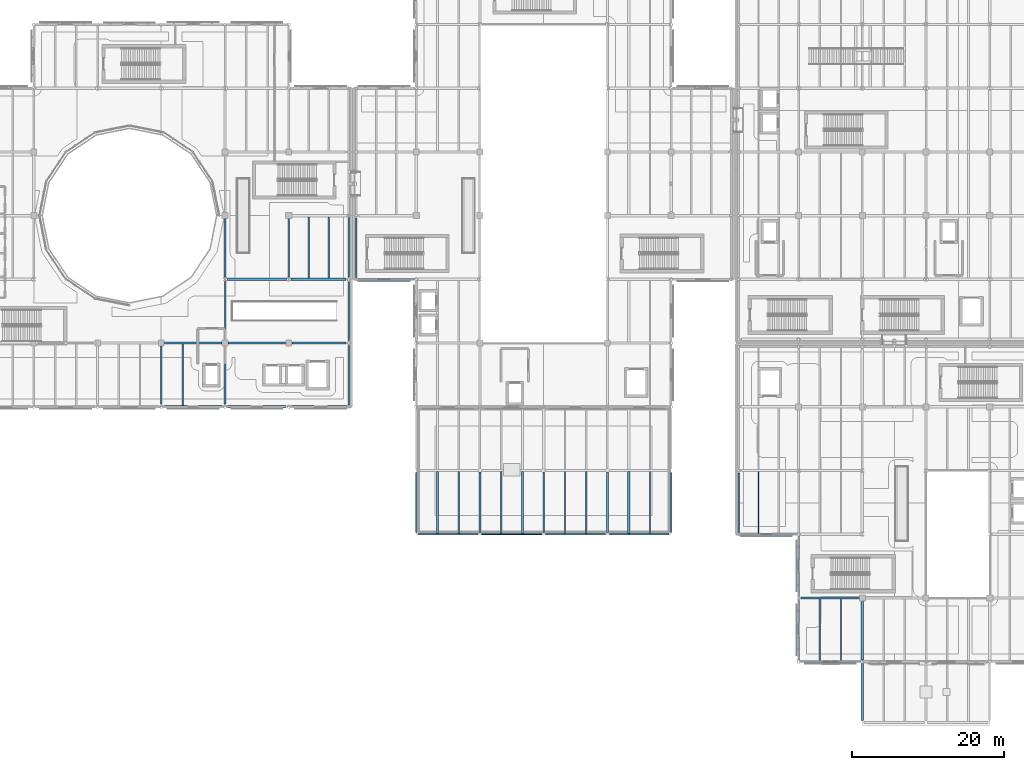
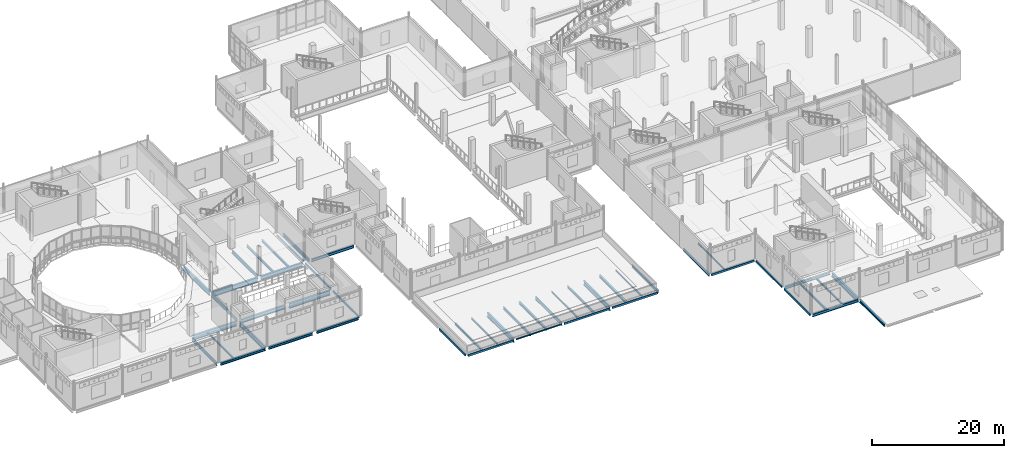
# One storey, part 18 of 110: 49 beams.
"""IFC4 building model written with IfcOpenShell, lengths in metres."""

from ifc_helpers import new_model, si_unit, direction, frame, origin, origin_2d, place, context, subcontext, project, spatial, hollow_rectangle, i_section, extrude, material, material_profile, profile_set, type_object, element, save


model = new_model("IFC4")

# Units and contexts
model_context = context("Model", 3, precision=1e-05, world=origin(), true_north=direction((0.0, 1.0)))
body_context = subcontext(model_context, "Body", "Model", "MODEL_VIEW")
ifc_project = project(units=[si_unit("LENGTHUNIT", "METRE"), si_unit("AREAUNIT", "SQUARE_METRE"), si_unit("VOLUMEUNIT", "CUBIC_METRE"), si_unit("PLANEANGLEUNIT", "RADIAN"), si_unit("MASSUNIT", "GRAM", prefix="KILO"), si_unit("THERMODYNAMICTEMPERATUREUNIT", "KELVIN")], contexts=[model_context])

# Site, building, storey
site_placement = place(None, origin())
site = spatial("IfcSite", under=ifc_project, at=site_placement, CompositionType="ELEMENT")
building_placement = place(site_placement, origin())
building = spatial("IfcBuilding", under=site, at=building_placement, Name="Lustrewick Department Store", CompositionType="ELEMENT")
storey_placement = place(building_placement, frame((0.0, 0.0, 6.0)))
storey = spatial("IfcBuildingStorey", under=building, at=storey_placement, Name="L02", CompositionType="ELEMENT", Elevation=6.0)

# Beams
ifc_material_1 = material(Name="Structural steel Q355B", Category="steel")
ifc_material_profile_1 = material_profile(ifc_material_1, i_section(OverallWidth=0.199951171875, OverallDepth=0.449951171875, WebThickness=0.009033203125, FlangeThickness=0.013916015625, FilletRadius=0.01611328125, at=origin_2d()), Name="HN 450x200x9x14")
ifc_profile_set_1 = profile_set([ifc_material_profile_1], Name="Structural steel Q355B")
beam_type_1 = type_object("IfcBeamType", Name="B03", PredefinedType="JOIST", material=ifc_profile_set_1)
beam_1_placement = place(storey_placement, frame((78.39990234375, 25.262451171875, -0.47998046875), z_axis=(0.0, 1.0, 0.0), x_axis=(-1.0, 0.0, 0.0)))
element("IfcBeam", 1, at=beam_1_placement, inside=storey, type_object=beam_type_1, Name="L02 V2 Secondary Joist B03", PredefinedType="JOIST", context=body_context, shape_type="SweptSolid", body=[
    extrude(i_section(OverallWidth=0.199951171875, OverallDepth=0.449951171875, WebThickness=0.009033203125, FlangeThickness=0.013916015625, FilletRadius=0.01611328125, at=origin_2d()), origin(), (0.0, 0.0, 1.0), 8.1875),
])
beam_2_placement = place(storey_placement, frame((89.60009765625, 25.300048828125, -0.47998046875), z_axis=(0.0, 1.0, 0.0), x_axis=(-1.0, 0.0, 0.0)))
element("IfcBeam", 2, at=beam_2_placement, inside=storey, type_object=beam_type_1, Name="L02 V2 Secondary Joist B03", PredefinedType="JOIST", context=body_context, shape_type="SweptSolid", body=[
    extrude(i_section(OverallWidth=0.199951171875, OverallDepth=0.449951171875, WebThickness=0.009033203125, FlangeThickness=0.013916015625, FilletRadius=0.01611328125, at=origin_2d()), origin(), (0.0, 0.0, 1.0), 8.14892578125),
])
ifc_material_profile_2 = material_profile(ifc_material_1, i_section(OverallWidth=0.198974609375, OverallDepth=0.446044921875, WebThickness=0.008056640625, FlangeThickness=0.011962890625, FilletRadius=0.01611328125, at=origin_2d()), Name="HN 446x199x8x12")
ifc_profile_set_2 = profile_set([ifc_material_profile_2], Name="Structural steel Q355B")
beam_type_2 = type_object("IfcBeamType", Name="B04", PredefinedType="JOIST", material=ifc_profile_set_2)
beam_3_placement = place(storey_placement, frame((53.033203125, 58.949951171875, -0.47802734375), z_axis=(0.0, 1.0, 0.0), x_axis=(-1.0, 0.0, 0.0)))
element("IfcBeam", 3, at=beam_3_placement, inside=storey, type_object=beam_type_2, Name="L02 V1 Secondary Joist B04", PredefinedType="JOIST", context=body_context, shape_type="SweptSolid", body=[
    extrude(i_section(OverallWidth=0.198974609375, OverallDepth=0.446044921875, WebThickness=0.008056640625, FlangeThickness=0.011962890625, FilletRadius=0.01611328125, at=origin_2d()), origin(), (0.0, 0.0, 1.0), 8.09912109375),
])
ifc_material_profile_3 = material_profile(ifc_material_1, i_section(OverallWidth=0.198974609375, OverallDepth=0.39599609375, WebThickness=0.007080078125, FlangeThickness=0.010986328125, FilletRadius=0.013916015625, at=origin_2d()), Name="HN 396x199x7x11")
ifc_profile_set_3 = profile_set([ifc_material_profile_3], Name="Structural steel Q355B")
beam_type_3 = type_object("IfcBeamType", Name="B06", PredefinedType="JOIST", material=ifc_profile_set_3)
beam_4_placement = place(storey_placement, frame((120.39990234375, 8.50048828125, -0.452880859375), z_axis=(0.0, 1.0, 0.0), x_axis=(-1.0, 0.0, 0.0)))
element("IfcBeam", 4, at=beam_4_placement, inside=storey, type_object=beam_type_3, Name="L02 V3 Secondary Joist B06", PredefinedType="JOIST", context=body_context, shape_type="SweptSolid", body=[
    extrude(i_section(OverallWidth=0.198974609375, OverallDepth=0.39599609375, WebThickness=0.007080078125, FlangeThickness=0.010986328125, FilletRadius=0.013916015625, at=origin_2d()), origin(), (0.0, 0.0, 1.0), 8.1494140625),
])
ifc_material_profile_4 = material_profile(ifc_material_1, i_section(OverallWidth=0.300048828125, OverallDepth=0.389892578125, WebThickness=0.010009765625, FlangeThickness=0.01611328125, FilletRadius=0.01806640625, at=origin_2d()), Name="HM 390x300x10x16")
ifc_profile_set_4 = profile_set([ifc_material_profile_4], Name="Structural steel Q355B")
beam_type_4 = type_object("IfcBeamType", Name="B07", PredefinedType="JOIST", material=ifc_profile_set_4)
beam_5_placement = place(storey_placement, frame((81.199951171875, 25.262451171875, -0.449951171875), z_axis=(0.0, 1.0, 0.0), x_axis=(-1.0, 0.0, 0.0)))
element("IfcBeam", 5, at=beam_5_placement, inside=storey, type_object=beam_type_4, Name="L02 V2 Secondary Joist B07", PredefinedType="JOIST", context=body_context, shape_type="SweptSolid", body=[
    extrude(i_section(OverallWidth=0.300048828125, OverallDepth=0.389892578125, WebThickness=0.010009765625, FlangeThickness=0.01611328125, FilletRadius=0.01806640625, at=origin_2d()), origin(), (0.0, 0.0, 1.0), 8.1875),
])
beam_6_placement = place(storey_placement, frame((95.199951171875, 25.300048828125, -0.449951171875), z_axis=(0.0, 1.0, 0.0), x_axis=(-1.0, 0.0, 0.0)))
element("IfcBeam", 6, at=beam_6_placement, inside=storey, type_object=beam_type_4, Name="L02 V2 Secondary Joist B07", PredefinedType="JOIST", context=body_context, shape_type="SweptSolid", body=[
    extrude(i_section(OverallWidth=0.300048828125, OverallDepth=0.389892578125, WebThickness=0.010009765625, FlangeThickness=0.01611328125, FilletRadius=0.01806640625, at=origin_2d()), origin(), (0.0, 0.0, 1.0), 8.14990234375),
])
ifc_material_profile_5 = material_profile(ifc_material_1, i_section(OverallWidth=0.25, OverallDepth=0.340087890625, WebThickness=0.009033203125, FlangeThickness=0.013916015625, FilletRadius=0.01611328125, at=origin_2d()), Name="HM 340x250x9x14")
ifc_profile_set_5 = profile_set([ifc_material_profile_5], Name="Structural steel Q355B")
beam_type_5 = type_object("IfcBeamType", Name="B08", PredefinedType="JOIST", material=ifc_profile_set_5)
beam_7_placement = place(storey_placement, frame((55.666748046875, 58.949951171875, -0.425048828125), z_axis=(0.0, 1.0, 0.0), x_axis=(-1.0, 0.0, 0.0)))
element("IfcBeam", 7, at=beam_7_placement, inside=storey, type_object=beam_type_5, Name="L02 V1 Secondary Joist B08", PredefinedType="JOIST", context=body_context, shape_type="SweptSolid", body=[
    extrude(i_section(OverallWidth=0.25, OverallDepth=0.340087890625, WebThickness=0.009033203125, FlangeThickness=0.013916015625, FilletRadius=0.01611328125, at=origin_2d()), origin(), (0.0, 0.0, 1.0), 8.09912109375),
])
beam_8_placement = place(storey_placement, frame((70.0, 25.300048828125, -0.425048828125), z_axis=(0.0, 1.0, 0.0), x_axis=(-1.0, 0.0, 0.0)))
element("IfcBeam", 8, at=beam_8_placement, inside=storey, type_object=beam_type_5, Name="L02 V2 Secondary Joist B08", PredefinedType="JOIST", context=body_context, shape_type="SweptSolid", body=[
    extrude(i_section(OverallWidth=0.25, OverallDepth=0.340087890625, WebThickness=0.009033203125, FlangeThickness=0.013916015625, FilletRadius=0.01611328125, at=origin_2d()), origin(), (0.0, 0.0, 1.0), 8.14892578125),
])
ifc_material_profile_6 = material_profile(ifc_material_1, i_section(OverallWidth=0.174072265625, OverallDepth=0.345947265625, WebThickness=0.006103515625, FlangeThickness=0.009033203125, FilletRadius=0.012939453125, at=origin_2d()), Name="HN 346x174x6x9")
ifc_profile_set_6 = profile_set([ifc_material_profile_6], Name="Structural steel Q355B")
beam_type_6 = type_object("IfcBeamType", Name="B10", PredefinedType="JOIST", material=ifc_profile_set_6)
beam_9_placement = place(storey_placement, frame((123.199951171875, 8.50048828125, -0.427978515625), z_axis=(0.0, 1.0, 0.0), x_axis=(-1.0, 0.0, 0.0)))
element("IfcBeam", 9, at=beam_9_placement, inside=storey, type_object=beam_type_6, Name="L02 V3 Secondary Joist B10", PredefinedType="JOIST", context=body_context, shape_type="SweptSolid", body=[
    extrude(i_section(OverallWidth=0.174072265625, OverallDepth=0.345947265625, WebThickness=0.006103515625, FlangeThickness=0.009033203125, FilletRadius=0.012939453125, at=origin_2d()), origin(), (0.0, 0.0, 1.0), 8.1494140625),
])
ifc_material_profile_7 = material_profile(ifc_material_1, i_section(OverallWidth=0.14990234375, OverallDepth=0.300048828125, WebThickness=0.006591796875, FlangeThickness=0.009033203125, FilletRadius=0.011962890625, at=origin_2d()), Name="HN 300x150x6.5x9")
ifc_profile_set_7 = profile_set([ifc_material_profile_7], Name="Structural steel Q355B")
beam_type_7 = type_object("IfcBeamType", Name="B11", PredefinedType="JOIST", material=ifc_profile_set_7)
for number, where, z_axis, x_axis, name in (
    (10, (98.0, 25.300048828125, -0.405029296875), (0.0, 1.0, 0.0), (-1.0, 0.0, 0.0), "L02 V2 Secondary Joist B11"),
    (11, (112.333251953125, 25.300048828125, -0.405029296875), (0.0, 1.0, 0.0), (-1.0, 0.0, 0.0), "L02 V3 Secondary Joist B11"),
):
    element("IfcBeam", number, at=place(storey_placement, frame(where, z_axis=z_axis, x_axis=x_axis)), inside=storey, type_object=beam_type_7, Name=name, PredefinedType="JOIST", context=body_context, shape_type="SweptSolid", body=[
        extrude(i_section(OverallWidth=0.14990234375, OverallDepth=0.300048828125, WebThickness=0.006591796875, FlangeThickness=0.009033203125, FilletRadius=0.011962890625, at=origin_2d()), origin(), (0.0, 0.0, 1.0), 8.14990234375),
    ])
ifc_material_profile_8 = material_profile(ifc_material_1, i_section(OverallWidth=0.14892578125, OverallDepth=0.298095703125, WebThickness=0.005615234375, FlangeThickness=0.008056640625, FilletRadius=0.011962890625, at=origin_2d()), Name="HN 298x149x5.5x8")
ifc_profile_set_8 = profile_set([ifc_material_profile_8], Name="Structural steel Q355B")
beam_type_8 = type_object("IfcBeamType", Name="B12", PredefinedType="JOIST", material=ifc_profile_set_8)
for number, where, z_axis, x_axis, name in (
    (12, (72.800048828125, 25.300048828125, -0.404052734375), (0.0, 1.0, 0.0), (-1.0, 0.0, 0.0), "L02 V2 Secondary Joist B12"),
    (13, (86.800048828125, 25.300048828125, -0.404052734375), (0.0, 1.0, 0.0), (-1.0, 0.0, 0.0), "L02 V2 Secondary Joist B12"),
):
    element("IfcBeam", number, at=place(storey_placement, frame(where, z_axis=z_axis, x_axis=x_axis)), inside=storey, type_object=beam_type_8, Name=name, PredefinedType="JOIST", context=body_context, shape_type="SweptSolid", body=[
        extrude(i_section(OverallWidth=0.14892578125, OverallDepth=0.298095703125, WebThickness=0.005615234375, FlangeThickness=0.008056640625, FilletRadius=0.011962890625, at=origin_2d()), origin(), (0.0, 0.0, 1.0), 8.14892578125),
    ])
ifc_material_profile_9 = material_profile(ifc_material_1, i_section(OverallWidth=0.199951171875, OverallDepth=0.2939453125, WebThickness=0.008056640625, FlangeThickness=0.011962890625, FilletRadius=0.013916015625, at=origin_2d()), Name="HM 294x200x8x12")
ifc_profile_set_9 = profile_set([ifc_material_profile_9], Name="Structural steel Q355B")
beam_type_9 = type_object("IfcBeamType", Name="B13", PredefinedType="JOIST", material=ifc_profile_set_9)
beam_10_placement = place(storey_placement, frame((36.39990234375, 42.14990234375, -0.402099609375), z_axis=(0.0, 1.0, 0.0), x_axis=(-1.0, 0.0, 0.0)))
element("IfcBeam", 14, at=beam_10_placement, inside=storey, type_object=beam_type_9, Name="L02 V1 Secondary Joist B13", PredefinedType="JOIST", context=body_context, shape_type="SweptSolid", body=[
    extrude(i_section(OverallWidth=0.199951171875, OverallDepth=0.2939453125, WebThickness=0.008056640625, FlangeThickness=0.011962890625, FilletRadius=0.013916015625, at=origin_2d()), origin(), (0.0, 0.0, 1.0), 8.09912109375),
])
ifc_material_2 = material(Name="Structural steel Q355C", Category="steel")
ifc_material_profile_10 = material_profile(ifc_material_2, i_section(OverallWidth=0.302001953125, OverallDepth=0.912109375, WebThickness=0.01806640625, FlangeThickness=0.033935546875, FilletRadius=0.02392578125, at=origin_2d()), Name="HN 912x302x18x34")
ifc_profile_set_10 = profile_set([ifc_material_profile_10], Name="Structural steel Q355C")
beam_type_10 = type_object("IfcBeamType", Name="G01", PredefinedType="BEAM", material=ifc_profile_set_10)
beam_11_placement = place(storey_placement, frame((34.0, 50.39990234375, -0.7109375), z_axis=(1.0, 0.0, 0.0), x_axis=(0.0, 1.0, 0.0)))
element("IfcBeam", 15, at=beam_11_placement, inside=storey, type_object=beam_type_10, Name="L02 V1 Girder G01", PredefinedType="BEAM", context=body_context, shape_type="SweptSolid", body=[
    extrude(i_section(OverallWidth=0.302001953125, OverallDepth=0.912109375, WebThickness=0.01806640625, FlangeThickness=0.033935546875, FilletRadius=0.02392578125, at=origin_2d()), origin(), (0.0, 0.0, 1.0), 7.60009765625),
])
beam_12_placement = place(storey_placement, frame((50.800048828125, 50.39990234375, -0.7109375), z_axis=(1.0, 0.0, 0.0), x_axis=(0.0, 1.0, 0.0)))
element("IfcBeam", 16, at=beam_12_placement, inside=storey, type_object=beam_type_10, Name="L02 V1 Girder G01", PredefinedType="BEAM", context=body_context, shape_type="SweptSolid", body=[
    extrude(i_section(OverallWidth=0.302001953125, OverallDepth=0.912109375, WebThickness=0.01806640625, FlangeThickness=0.033935546875, FilletRadius=0.02392578125, at=origin_2d()), origin(), (0.0, 0.0, 1.0), 7.14990234375),
])
beam_13_placement = place(storey_placement, frame((42.300048828125, 58.800048828125, -0.7109375), z_axis=(1.0, 0.0, 0.0), x_axis=(0.0, 1.0, 0.0)))
element("IfcBeam", 17, at=beam_13_placement, inside=storey, type_object=beam_type_10, Name="L02 V1 Girder G01", PredefinedType="BEAM", context=body_context, shape_type="SweptSolid", body=[
    extrude(i_section(OverallWidth=0.302001953125, OverallDepth=0.912109375, WebThickness=0.01806640625, FlangeThickness=0.033935546875, FilletRadius=0.02392578125, at=origin_2d()), origin(), (0.0, 0.0, 1.0), 7.800048828125),
])
ifc_material_profile_11 = material_profile(ifc_material_1, i_section(OverallWidth=0.300048828125, OverallDepth=0.800048828125, WebThickness=0.013916015625, FlangeThickness=0.02587890625, FilletRadius=0.02197265625, at=origin_2d()), Name="HN 800x300x14x26")
ifc_profile_set_11 = profile_set([ifc_material_profile_11], Name="Structural steel Q355B")
beam_type_11 = type_object("IfcBeamType", Name="G05", PredefinedType="BEAM", material=ifc_profile_set_11)
beam_14_placement = place(storey_placement, frame((126.0, 8.62841796875, -0.655029296875), z_axis=(0.0, 1.0, 0.0), x_axis=(-1.0, 0.0, 0.0)))
element("IfcBeam", 18, at=beam_14_placement, inside=storey, type_object=beam_type_11, Name="L02 V3 Girder G05", PredefinedType="BEAM", context=body_context, shape_type="SweptSolid", body=[
    extrude(i_section(OverallWidth=0.300048828125, OverallDepth=0.800048828125, WebThickness=0.013916015625, FlangeThickness=0.02587890625, FilletRadius=0.02197265625, at=origin_2d()), origin(), (0.0, 0.0, 1.0), 7.9716796875),
])
ifc_material_profile_12 = material_profile(ifc_material_1, i_section(OverallWidth=0.300048828125, OverallDepth=0.7919921875, WebThickness=0.013916015625, FlangeThickness=0.02197265625, FilletRadius=0.02197265625, at=origin_2d()), Name="HN 792x300x14x22")
ifc_profile_set_12 = profile_set([ifc_material_profile_12], Name="Structural steel Q355B")
beam_type_12 = type_object("IfcBeamType", Name="G06", PredefinedType="BEAM", material=ifc_profile_set_12)
beam_15_placement = place(storey_placement, frame((42.0, 42.35009765625, -0.65087890625), z_axis=(0.0, 1.0, 0.0), x_axis=(-1.0, 0.0, 0.0)))
element("IfcBeam", 19, at=beam_15_placement, inside=storey, type_object=beam_type_12, Name="L02 V1 Girder G06", PredefinedType="BEAM", context=body_context, shape_type="SweptSolid", body=[
    extrude(i_section(OverallWidth=0.300048828125, OverallDepth=0.7919921875, WebThickness=0.013916015625, FlangeThickness=0.02197265625, FilletRadius=0.02197265625, at=origin_2d()), origin(), (0.0, 0.0, 1.0), 7.64990234375),
])
beam_16_placement = place(storey_placement, frame((42.0, 59.10009765625, -0.65087890625), z_axis=(0.0, 1.0, 0.0), x_axis=(-1.0, 0.0, 0.0)))
element("IfcBeam", 20, at=beam_16_placement, inside=storey, type_object=beam_type_12, Name="L02 V1 Girder G06", PredefinedType="BEAM", context=body_context, shape_type="SweptSolid", body=[
    extrude(i_section(OverallWidth=0.300048828125, OverallDepth=0.7919921875, WebThickness=0.013916015625, FlangeThickness=0.02197265625, FilletRadius=0.02197265625, at=origin_2d()), origin(), (0.0, 0.0, 1.0), 7.89990234375),
])
for number, where, z_axis, x_axis, name in (
    (21, (75.60009765625, 25.4541015625, -0.65087890625), (0.0, 1.0, 0.0), (-1.0, 0.0, 0.0), "L02 V2 Girder G06"),
    (22, (92.39990234375, 25.4541015625, -0.65087890625), (0.0, 1.0, 0.0), (-1.0, 0.0, 0.0), "L02 V2 Girder G06"),
):
    element("IfcBeam", number, at=place(storey_placement, frame(where, z_axis=z_axis, x_axis=x_axis)), inside=storey, type_object=beam_type_12, Name=name, PredefinedType="BEAM", context=body_context, shape_type="SweptSolid", body=[
        extrude(i_section(OverallWidth=0.300048828125, OverallDepth=0.7919921875, WebThickness=0.013916015625, FlangeThickness=0.02197265625, FilletRadius=0.02197265625, at=origin_2d()), origin(), (0.0, 0.0, 1.0), 7.93896484375),
    ])
ifc_material_profile_13 = material_profile(ifc_material_1, i_section(OverallWidth=0.300048828125, OverallDepth=0.69189453125, WebThickness=0.012939453125, FlangeThickness=0.02001953125, FilletRadius=0.02001953125, at=origin_2d()), Name="HN 692x300x13x20")
ifc_profile_set_13 = profile_set([ifc_material_profile_13], Name="Structural steel Q355B")
beam_type_13 = type_object("IfcBeamType", Name="G09", PredefinedType="BEAM", material=ifc_profile_set_13)
beam_17_placement = place(storey_placement, frame((42.39990234375, 50.39990234375, -0.60107421875), z_axis=(1.0, 0.0, 0.0), x_axis=(0.0, 1.0, 0.0)))
element("IfcBeam", 23, at=beam_17_placement, inside=storey, type_object=beam_type_13, Name="L02 V1 Girder G09", PredefinedType="BEAM", context=body_context, shape_type="SweptSolid", body=[
    extrude(i_section(OverallWidth=0.300048828125, OverallDepth=0.69189453125, WebThickness=0.012939453125, FlangeThickness=0.02001953125, FilletRadius=0.02001953125, at=origin_2d()), origin(), (0.0, 0.0, 1.0), 7.60009765625),
])
beam_18_placement = place(storey_placement, frame((50.699951171875, 58.800048828125, -0.60107421875), z_axis=(1.0, 0.0, 0.0), x_axis=(0.0, 1.0, 0.0)))
element("IfcBeam", 24, at=beam_18_placement, inside=storey, type_object=beam_type_13, Name="L02 V1 Girder G09", PredefinedType="BEAM", context=body_context, shape_type="SweptSolid", body=[
    extrude(i_section(OverallWidth=0.300048828125, OverallDepth=0.69189453125, WebThickness=0.012939453125, FlangeThickness=0.02001953125, FilletRadius=0.02001953125, at=origin_2d()), origin(), (0.0, 0.0, 1.0), 7.275146484375),
])
ifc_material_profile_14 = material_profile(ifc_material_1, i_section(OverallWidth=0.199951171875, OverallDepth=0.60009765625, WebThickness=0.010986328125, FlangeThickness=0.01708984375, FilletRadius=0.01806640625, at=origin_2d()), Name="HN 600x200x11x17")
ifc_profile_set_14 = profile_set([ifc_material_profile_14], Name="Structural steel Q355B")
beam_type_14 = type_object("IfcBeamType", Name="G14", PredefinedType="BEAM", material=ifc_profile_set_14)
beam_19_placement = place(storey_placement, frame((42.0, 50.800048828125, -0.554931640625), z_axis=(0.0, 1.0, 0.0), x_axis=(-1.0, 0.0, 0.0)))
element("IfcBeam", 25, at=beam_19_placement, inside=storey, type_object=beam_type_14, Name="L02 V1 Girder G14", PredefinedType="BEAM", context=body_context, shape_type="SweptSolid", body=[
    extrude(i_section(OverallWidth=0.199951171875, OverallDepth=0.60009765625, WebThickness=0.010986328125, FlangeThickness=0.01708984375, FilletRadius=0.01806640625, at=origin_2d()), origin(), (0.0, 0.0, 1.0), 7.699951171875),
])
beam_20_placement = place(storey_placement, frame((50.39990234375, 59.10009765625, -0.554931640625), z_axis=(0.0, 1.0, 0.0), x_axis=(-1.0, 0.0, 0.0)))
element("IfcBeam", 26, at=beam_20_placement, inside=storey, type_object=beam_type_14, Name="L02 V1 Girder G14", PredefinedType="BEAM", context=body_context, shape_type="SweptSolid", body=[
    extrude(i_section(OverallWidth=0.199951171875, OverallDepth=0.60009765625, WebThickness=0.010986328125, FlangeThickness=0.01708984375, FilletRadius=0.01806640625, at=origin_2d()), origin(), (0.0, 0.0, 1.0), 7.89990234375),
])
beam_21_placement = place(storey_placement, frame((84.0, 25.4541015625, -0.554931640625), z_axis=(0.0, 1.0, 0.0), x_axis=(-1.0, 0.0, 0.0)))
element("IfcBeam", 27, at=beam_21_placement, inside=storey, type_object=beam_type_14, Name="L02 V2 Girder G14", PredefinedType="BEAM", context=body_context, shape_type="SweptSolid", body=[
    extrude(i_section(OverallWidth=0.199951171875, OverallDepth=0.60009765625, WebThickness=0.010986328125, FlangeThickness=0.01708984375, FilletRadius=0.01806640625, at=origin_2d()), origin(), (0.0, 0.0, 1.0), 7.93896484375),
])
ifc_material_profile_15 = material_profile(ifc_material_1, i_section(OverallWidth=0.198974609375, OverallDepth=0.595947265625, WebThickness=0.010009765625, FlangeThickness=0.014892578125, FilletRadius=0.01806640625, at=origin_2d()), Name="HN 596x199x10x15")
ifc_profile_set_15 = profile_set([ifc_material_profile_15], Name="Structural steel Q355B")
beam_type_15 = type_object("IfcBeamType", Name="G15", PredefinedType="BEAM", material=ifc_profile_set_15)
beam_22_placement = place(storey_placement, frame((33.60009765625, 42.35009765625, -0.552978515625), z_axis=(0.0, 1.0, 0.0), x_axis=(-1.0, 0.0, 0.0)))
element("IfcBeam", 28, at=beam_22_placement, inside=storey, type_object=beam_type_15, Name="L02 V1 Girder G15", PredefinedType="BEAM", context=body_context, shape_type="SweptSolid", body=[
    extrude(i_section(OverallWidth=0.198974609375, OverallDepth=0.595947265625, WebThickness=0.010009765625, FlangeThickness=0.014892578125, FilletRadius=0.01806640625, at=origin_2d()), origin(), (0.0, 0.0, 1.0), 7.64990234375),
])
ifc_material_profile_16 = material_profile(ifc_material_1, i_section(OverallWidth=0.300048828125, OverallDepth=0.48193359375, WebThickness=0.010986328125, FlangeThickness=0.014892578125, FilletRadius=0.02197265625, at=origin_2d()), Name="HM 482x300x11x15")
ifc_profile_set_16 = profile_set([ifc_material_profile_16], Name="Structural steel Q355B")
beam_type_16 = type_object("IfcBeamType", Name="G20", PredefinedType="BEAM", material=ifc_profile_set_16)
beam_23_placement = place(storey_placement, frame((117.949951171875, 16.800048828125, -0.49609375), z_axis=(1.0, 0.0, 0.0), x_axis=(0.0, 1.0, 0.0)))
element("IfcBeam", 29, at=beam_23_placement, inside=storey, type_object=beam_type_16, Name="L02 V3 Girder G20", PredefinedType="BEAM", context=body_context, shape_type="SweptSolid", body=[
    extrude(i_section(OverallWidth=0.300048828125, OverallDepth=0.48193359375, WebThickness=0.010986328125, FlangeThickness=0.014892578125, FilletRadius=0.02197265625, at=origin_2d()), origin(), (0.0, 0.0, 1.0), 7.85009765625),
])
ifc_material_profile_17 = material_profile(ifc_material_1, i_section(OverallWidth=0.125, OverallDepth=0.25, WebThickness=0.006103515625, FlangeThickness=0.009033203125, FilletRadius=0.010009765625, at=origin_2d()), Name="HN 250x125x6x9")
ifc_profile_set_17 = profile_set([ifc_material_profile_17], Name="Structural steel Q355B")
beam_type_17 = type_object("IfcBeamType", Name="LN02", PredefinedType="LINTEL", material=ifc_profile_set_17)
beam_24_placement = place(storey_placement, frame((75.85400390625, 25.199951171875, -0.3798828125), z_axis=(1.0, 0.0, 0.0), x_axis=(0.0, 1.0, 0.0)))
element("IfcBeam", 30, at=beam_24_placement, inside=storey, type_object=beam_type_17, Name="L02 V2 Girder LN02", PredefinedType="LINTEL", context=body_context, shape_type="SweptSolid", body=[
    extrude(i_section(OverallWidth=0.125, OverallDepth=0.25, WebThickness=0.006103515625, FlangeThickness=0.009033203125, FilletRadius=0.010009765625, at=origin_2d()), origin(), (0.0, 0.0, 1.0), 7.89208984375),
])
ifc_material_profile_18 = material_profile(ifc_material_1, i_section(OverallWidth=0.200927734375, OverallDepth=0.506103515625, WebThickness=0.010986328125, FlangeThickness=0.01904296875, FilletRadius=0.01611328125, at=origin_2d()), Name="HN 506x201x11x19")
ifc_profile_set_18 = profile_set([ifc_material_profile_18], Name="Structural steel Q355B")
beam_type_18 = type_object("IfcBeamType", Name="SP01", PredefinedType="SPANDREL", material=ifc_profile_set_18)
beam_25_placement = place(storey_placement, frame((59.528564453125, 58.800048828125, -0.508056640625), z_axis=(1.0, 0.0, 0.0), x_axis=(0.0, 1.0, 0.0)))
element("IfcBeam", 31, at=beam_25_placement, inside=storey, type_object=beam_type_18, Name="L02 V2 Girder SP01", PredefinedType="SPANDREL", context=body_context, shape_type="SweptSolid", body=[
    extrude(i_section(OverallWidth=0.200927734375, OverallDepth=0.506103515625, WebThickness=0.010986328125, FlangeThickness=0.01904296875, FilletRadius=0.01611328125, at=origin_2d()), origin(), (0.0, 0.0, 1.0), 7.41748046875),
])
beam_26_placement = place(storey_placement, frame((59.300048828125, 59.028564453125, -0.508056640625), z_axis=(0.0, 1.0, 0.0), x_axis=(-1.0, 0.0, 0.0)))
element("IfcBeam", 32, at=beam_26_placement, inside=storey, type_object=beam_type_18, Name="L02 V2 Girder SP01", PredefinedType="SPANDREL", context=body_context, shape_type="SweptSolid", body=[
    extrude(i_section(OverallWidth=0.200927734375, OverallDepth=0.506103515625, WebThickness=0.010986328125, FlangeThickness=0.01904296875, FilletRadius=0.01611328125, at=origin_2d()), origin(), (0.0, 0.0, 1.0), 7.846435546875),
])
beam_27_placement = place(storey_placement, frame((100.800048828125, 25.4541015625, -0.508056640625), z_axis=(0.0, 1.0, 0.0), x_axis=(-1.0, 0.0, 0.0)))
element("IfcBeam", 33, at=beam_27_placement, inside=storey, type_object=beam_type_18, Name="L02 V2 Girder SP01", PredefinedType="SPANDREL", context=body_context, shape_type="SweptSolid", body=[
    extrude(i_section(OverallWidth=0.200927734375, OverallDepth=0.506103515625, WebThickness=0.010986328125, FlangeThickness=0.01904296875, FilletRadius=0.01611328125, at=origin_2d()), origin(), (0.0, 0.0, 1.0), 7.91748046875),
])
beam_28_placement = place(storey_placement, frame((117.82861328125, 8.39990234375, -0.508056640625), z_axis=(1.0, 0.0, 0.0), x_axis=(0.0, 1.0, 0.0)))
element("IfcBeam", 34, at=beam_28_placement, inside=storey, type_object=beam_type_18, Name="L02 V3 Girder SP01", PredefinedType="SPANDREL", context=body_context, shape_type="SweptSolid", body=[
    extrude(i_section(OverallWidth=0.200927734375, OverallDepth=0.506103515625, WebThickness=0.010986328125, FlangeThickness=0.01904296875, FilletRadius=0.01611328125, at=origin_2d()), origin(), (0.0, 0.0, 1.0), 7.94287109375),
])
beam_29_placement = place(storey_placement, frame((109.699951171875, 25.428466796875, -0.508056640625), z_axis=(0.0, 1.0, 0.0), x_axis=(-1.0, 0.0, 0.0)))
element("IfcBeam", 35, at=beam_29_placement, inside=storey, type_object=beam_type_18, Name="L02 V3 Girder SP01", PredefinedType="SPANDREL", context=body_context, shape_type="SweptSolid", body=[
    extrude(i_section(OverallWidth=0.200927734375, OverallDepth=0.506103515625, WebThickness=0.010986328125, FlangeThickness=0.01904296875, FilletRadius=0.01611328125, at=origin_2d()), origin(), (0.0, 0.0, 1.0), 7.821533203125),
])
ifc_material_profile_19 = material_profile(ifc_material_1, i_section(OverallWidth=0.300048828125, OverallDepth=0.43994140625, WebThickness=0.010986328125, FlangeThickness=0.01806640625, FilletRadius=0.02001953125, at=origin_2d()), Name="HM 440x300x11x18")
ifc_profile_set_19 = profile_set([ifc_material_profile_19], Name="Structural steel Q355B")
beam_type_19 = type_object("IfcBeamType", Name="SP02", PredefinedType="SPANDREL", material=ifc_profile_set_19)
for number, where, z_axis, x_axis, name in (
    (36, (33.949951171875, 42.0, -0.47509765625), (1.0, 0.0, 0.0), (0.0, 1.0, 0.0), "L02 V1 Girder SP02"),
    (37, (42.35009765625, 42.0, -0.47509765625), (1.0, 0.0, 0.0), (0.0, 1.0, 0.0), "L02 V1 Girder SP02"),
):
    element("IfcBeam", number, at=place(storey_placement, frame(where, z_axis=z_axis, x_axis=x_axis)), inside=storey, type_object=beam_type_19, Name=name, PredefinedType="SPANDREL", context=body_context, shape_type="SweptSolid", body=[
        extrude(i_section(OverallWidth=0.300048828125, OverallDepth=0.43994140625, WebThickness=0.010986328125, FlangeThickness=0.01806640625, FilletRadius=0.02001953125, at=origin_2d()), origin(), (0.0, 0.0, 1.0), 7.699951171875),
    ])
beam_30_placement = place(storey_placement, frame((50.75, 42.0, -0.47509765625), z_axis=(1.0, 0.0, 0.0), x_axis=(0.0, 1.0, 0.0)))
element("IfcBeam", 38, at=beam_30_placement, inside=storey, type_object=beam_type_19, Name="L02 V1 Girder SP02", PredefinedType="SPANDREL", context=body_context, shape_type="SweptSolid", body=[
    extrude(i_section(OverallWidth=0.300048828125, OverallDepth=0.43994140625, WebThickness=0.010986328125, FlangeThickness=0.01806640625, FilletRadius=0.02001953125, at=origin_2d()), origin(), (0.0, 0.0, 1.0), 7.321533203125),
])
beam_31_placement = place(storey_placement, frame((126.0, 0.62841796875, -0.47509765625), z_axis=(0.0, 1.0, 0.0), x_axis=(-1.0, 0.0, 0.0)))
element("IfcBeam", 39, at=beam_31_placement, inside=storey, type_object=beam_type_19, Name="L02 V3 Girder SP02", PredefinedType="SPANDREL", context=body_context, shape_type="SweptSolid", body=[
    extrude(i_section(OverallWidth=0.300048828125, OverallDepth=0.43994140625, WebThickness=0.010986328125, FlangeThickness=0.01806640625, FilletRadius=0.02001953125, at=origin_2d()), origin(), (0.0, 0.0, 1.0), 7.54296875),
])
ifc_material_profile_20 = material_profile(ifc_material_2, hollow_rectangle(XDim=0.199951171875, YDim=0.35009765625, WallThickness=0.011962890625, at=origin_2d()), Name="RHS 350x200x12")
ifc_profile_set_20 = profile_set([ifc_material_profile_20], Name="Structural steel Q355C")
beam_type_20 = type_object("IfcBeamType", Name="SP03", PredefinedType="SPANDREL", material=ifc_profile_set_20)
beam_32_placement = place(storey_placement, frame((58.300048828125, 42.228515625, -0.429931640625), z_axis=(0.0, 1.0, 0.0), x_axis=(-1.0, 0.0, 0.0)))
element("IfcBeam", 40, at=beam_32_placement, inside=storey, type_object=beam_type_20, Name="L02 V1 Girder SP03", PredefinedType="SPANDREL", context=body_context, shape_type="SweptSolid", body=[
    extrude(hollow_rectangle(XDim=0.199951171875, YDim=0.35009765625, WallThickness=0.011962890625, at=origin_2d()), origin(), (0.0, 0.0, 1.0), 7.821533203125),
])
beam_33_placement = place(storey_placement, frame((58.300048828125, 50.75, -0.429931640625), z_axis=(0.0, 1.0, 0.0), x_axis=(-1.0, 0.0, 0.0)))
element("IfcBeam", 41, at=beam_33_placement, inside=storey, type_object=beam_type_20, Name="L02 V1 Girder SP03", PredefinedType="SPANDREL", context=body_context, shape_type="SweptSolid", body=[
    extrude(hollow_rectangle(XDim=0.199951171875, YDim=0.35009765625, WallThickness=0.011962890625, at=origin_2d()), origin(), (0.0, 0.0, 1.0), 7.72509765625),
])
beam_34_placement = place(storey_placement, frame((58.300048828125, 59.125, -0.429931640625), z_axis=(0.0, 1.0, 0.0), x_axis=(-1.0, 0.0, 0.0)))
element("IfcBeam", 42, at=beam_34_placement, inside=storey, type_object=beam_type_20, Name="L02 V1 Girder SP03", PredefinedType="SPANDREL", context=body_context, shape_type="SweptSolid", body=[
    extrude(hollow_rectangle(XDim=0.199951171875, YDim=0.35009765625, WallThickness=0.011962890625, at=origin_2d()), origin(), (0.0, 0.0, 1.0), 7.846435546875),
])
beam_35_placement = place(storey_placement, frame((67.4541015625, 25.199951171875, -0.429931640625), z_axis=(1.0, 0.0, 0.0), x_axis=(0.0, 1.0, 0.0)))
element("IfcBeam", 43, at=beam_35_placement, inside=storey, type_object=beam_type_20, Name="L02 V2 Girder SP03", PredefinedType="SPANDREL", context=body_context, shape_type="SweptSolid", body=[
    extrude(hollow_rectangle(XDim=0.199951171875, YDim=0.35009765625, WallThickness=0.011962890625, at=origin_2d()), origin(), (0.0, 0.0, 1.0), 7.891845703125),
])
beam_36_placement = place(storey_placement, frame((84.25390625, 25.199951171875, -0.429931640625), z_axis=(1.0, 0.0, 0.0), x_axis=(0.0, 1.0, 0.0)))
element("IfcBeam", 44, at=beam_36_placement, inside=storey, type_object=beam_type_20, Name="L02 V2 Girder SP03", PredefinedType="SPANDREL", context=body_context, shape_type="SweptSolid", body=[
    extrude(hollow_rectangle(XDim=0.199951171875, YDim=0.35009765625, WallThickness=0.011962890625, at=origin_2d()), origin(), (0.0, 0.0, 1.0), 7.89208984375),
])
beam_37_placement = place(storey_placement, frame((92.654052734375, 25.199951171875, -0.429931640625), z_axis=(1.0, 0.0, 0.0), x_axis=(0.0, 1.0, 0.0)))
element("IfcBeam", 45, at=beam_37_placement, inside=storey, type_object=beam_type_20, Name="L02 V2 Girder SP03", PredefinedType="SPANDREL", context=body_context, shape_type="SweptSolid", body=[
    extrude(hollow_rectangle(XDim=0.199951171875, YDim=0.35009765625, WallThickness=0.011962890625, at=origin_2d()), origin(), (0.0, 0.0, 1.0), 7.891845703125),
])
beam_38_placement = place(storey_placement, frame((67.199951171875, 25.4541015625, -0.429931640625), z_axis=(0.0, 1.0, 0.0), x_axis=(-1.0, 0.0, 0.0)))
element("IfcBeam", 46, at=beam_38_placement, inside=storey, type_object=beam_type_20, Name="L02 V2 Girder SP03", PredefinedType="SPANDREL", context=body_context, shape_type="SweptSolid", body=[
    extrude(hollow_rectangle(XDim=0.199951171875, YDim=0.35009765625, WallThickness=0.011962890625, at=origin_2d()), origin(), (0.0, 0.0, 1.0), 7.91748046875),
])
beam_39_placement = place(storey_placement, frame((109.928466796875, 25.199951171875, -0.429931640625), z_axis=(1.0, 0.0, 0.0), x_axis=(0.0, 1.0, 0.0)))
element("IfcBeam", 47, at=beam_39_placement, inside=storey, type_object=beam_type_20, Name="L02 V3 Girder SP03", PredefinedType="SPANDREL", context=body_context, shape_type="SweptSolid", body=[
    extrude(hollow_rectangle(XDim=0.199951171875, YDim=0.35009765625, WallThickness=0.011962890625, at=origin_2d()), origin(), (0.0, 0.0, 1.0), 7.41748046875),
])
beam_40_placement = place(storey_placement, frame((117.60009765625, 8.62841796875, -0.429931640625), z_axis=(0.0, 1.0, 0.0), x_axis=(-1.0, 0.0, 0.0)))
element("IfcBeam", 48, at=beam_40_placement, inside=storey, type_object=beam_type_20, Name="L02 V3 Girder SP03", PredefinedType="SPANDREL", context=body_context, shape_type="SweptSolid", body=[
    extrude(hollow_rectangle(XDim=0.199951171875, YDim=0.35009765625, WallThickness=0.011962890625, at=origin_2d()), origin(), (0.0, 0.0, 1.0), 7.821533203125),
])
beam_41_placement = place(storey_placement, frame((117.60009765625, 17.14990234375, -0.429931640625), z_axis=(0.0, 1.0, 0.0), x_axis=(-1.0, 0.0, 0.0)))
element("IfcBeam", 49, at=beam_41_placement, inside=storey, type_object=beam_type_20, Name="L02 V3 Girder SP03", PredefinedType="SPANDREL", context=body_context, shape_type="SweptSolid", body=[
    extrude(hollow_rectangle(XDim=0.199951171875, YDim=0.35009765625, WallThickness=0.011962890625, at=origin_2d()), origin(), (0.0, 0.0, 1.0), 7.796142578125),
])

save(model, "model.ifc")
